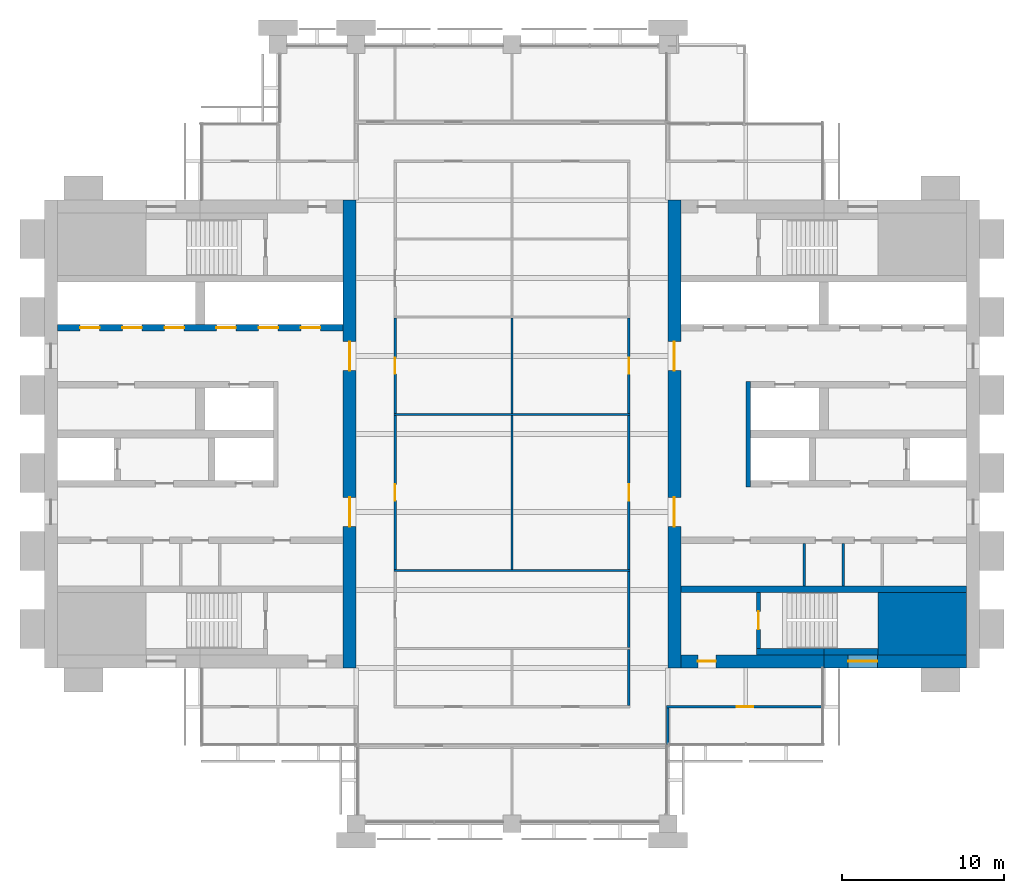
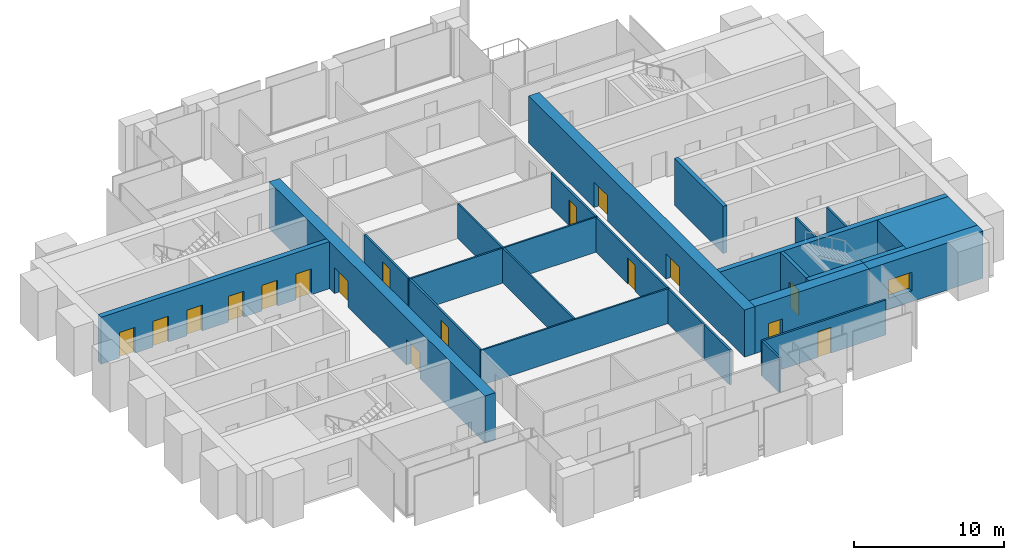
# One storey, part 9 of 13: 25 walls, 17 doors, 1 window, 18 openings.
"""IFC4 building model written with IfcOpenShell, lengths in metres."""

import ifcopenshell
import ifcopenshell.guid

model = None  # the IFC model being written
_history = None  # IfcOwnerHistory: only IFC2X3 demands one
_inside = {}  # id of a spatial element -> (the spatial element, [elements in it])
_under = {}  # id of a project, library or spatial element -> (it, [spatial elements below it])
_declared = {}  # id of a project -> (the project, [libraries it declares])
_typed = {}  # id of a type object -> (the type object, [elements of that type])
_made_of = {}  # id of a material, layer set ... -> (it, [elements and type objects made of it])


def new_model(schema):
    """Start an empty IFC model of exactly this schema.

    Asked for "IFC4X3", IfcOpenShell would pick the latest addendum, in which some entities
    have other attributes; the version numbers below select the first issue.
    IFC2X3 requires an IfcOwnerHistory on every rooted entity: one is made here for all.
    """
    global model, _history
    if schema == "IFC4X3":
        model = ifcopenshell.file(schema_version=(4, 3, 0, 0))
    else:
        model = ifcopenshell.file(schema=schema)
    _inside.clear()
    _under.clear()
    _declared.clear()
    _typed.clear()
    _made_of.clear()
    _history = None
    if model.schema == "IFC2X3":
        org = make("IfcOrganization", Name="unknown")
        user = make(
            "IfcPersonAndOrganization",
            ThePerson=make("IfcPerson", FamilyName="unknown"),
            TheOrganization=org,
        )
        app = make(
            "IfcApplication",
            ApplicationDeveloper=org,
            Version="unknown",
            ApplicationFullName="unknown",
            ApplicationIdentifier="unknown",
        )
        _history = make(
            "IfcOwnerHistory",
            OwningUser=user,
            OwningApplication=app,
            ChangeAction="ADDED",
            CreationDate=0,
        )
    return model


def make(cls, **values):
    """One entity of the class cls with the attributes given. An attribute that is None is left unset."""
    return model.create_entity(
        cls, **{name: value for name, value in values.items() if value is not None}
    )


def rooted(cls, **values):
    """An entity with a GlobalId (a new one), such as an element, a storey or a relation."""
    return make(cls, GlobalId=ifcopenshell.guid.new(), OwnerHistory=_history, **values)


def si_unit(unit_type, name, prefix=None):
    """IfcSIUnit, for example si_unit("LENGTHUNIT", "METRE", prefix="MILLI")."""
    return make("IfcSIUnit", UnitType=unit_type, Prefix=prefix, Name=name)


def assignment(units):
    """IfcUnitAssignment: the units of a project."""
    return None if units is None else make("IfcUnitAssignment", Units=units)


def point(xyz):
    """IfcCartesianPoint."""
    return None if xyz is None else make("IfcCartesianPoint", Coordinates=xyz)


def direction(xyz):
    """IfcDirection."""
    return None if xyz is None else make("IfcDirection", DirectionRatios=xyz)


def frame(location, z_axis=None, x_axis=None):
    """IfcAxis2Placement3D, a coordinate frame: its origin and axes. An axis left out is left unset."""
    return make(
        "IfcAxis2Placement3D",
        Location=point(location),
        Axis=direction(z_axis),
        RefDirection=direction(x_axis),
    )


def frame_2d(location, x_axis=None):
    """IfcAxis2Placement2D, a coordinate frame in the plane: its origin and x axis."""
    return make(
        "IfcAxis2Placement2D", Location=point(location), RefDirection=direction(x_axis)
    )


def origin():
    """The frame at (0, 0, 0) with its axes left unset."""
    return frame((0.0, 0.0, 0.0))


def place(relative_to, where):
    """IfcLocalPlacement: puts the frame where relative to a parent placement (None: the world)."""
    return make(
        "IfcLocalPlacement", PlacementRelTo=relative_to, RelativePlacement=where
    )


def context(
    kind, dimensions, precision=None, world=None, true_north=None, identifier=None
):
    """IfcGeometricRepresentationContext, for example the 3D "Model" context."""
    return make(
        "IfcGeometricRepresentationContext",
        ContextIdentifier=identifier,
        ContextType=kind,
        CoordinateSpaceDimension=dimensions,
        Precision=precision,
        WorldCoordinateSystem=world,
        TrueNorth=true_north,
    )


def subcontext(parent, identifier, kind, view, scale=None):
    """IfcGeometricRepresentationSubContext, for example "Body" below "Model"."""
    return make(
        "IfcGeometricRepresentationSubContext",
        ContextIdentifier=identifier,
        ContextType=kind,
        ParentContext=parent,
        TargetScale=scale,
        TargetView=view,
    )


def project(units=None, contexts=None):
    """IfcProject with its units and contexts."""
    return rooted(
        "IfcProject",
        Name="project",
        RepresentationContexts=contexts,
        UnitsInContext=assignment(units),
    )


def spatial(cls, under=None, at=None, **own):
    """A site, building, storey or space (cls), placed at a placement, below another one or the project."""
    s = rooted(cls, ObjectPlacement=at, **own)
    if under is not None:
        _under.setdefault(under.id(), (under, []))[1].append(s)
    return s


def profile(cls, at=None, kind="AREA", **sizes):
    """A parametric profile (cls). Its sizes go by their IFC names, for example OverallWidth=200.0."""
    return make(cls, ProfileType=kind, Position=at, **sizes)


def rectangle(**sizes):
    """IfcRectangleProfileDef."""
    return profile("IfcRectangleProfileDef", **sizes)


def extrude(swept, where, along, depth):
    """IfcExtrudedAreaSolid: the profile swept, set in the frame where, extruded along a direction by depth."""
    return make(
        "IfcExtrudedAreaSolid",
        SweptArea=swept,
        Position=where,
        ExtrudedDirection=direction(along),
        Depth=depth,
    )


def shape(context_of_items, identifier, shape_type, items):
    """IfcShapeRepresentation: the items that make up one representation, for example the "Body"."""
    return make(
        "IfcShapeRepresentation",
        ContextOfItems=context_of_items,
        RepresentationIdentifier=identifier,
        RepresentationType=shape_type,
        Items=items,
    )


def material(Name=None, Category=None):
    """IfcMaterial."""
    return make("IfcMaterial", Name=Name, Category=Category)


def layer(
    of_material, thickness, ventilated=None, Name=None, Category=None, Priority=None
):
    """IfcMaterialLayer: one layer of a wall or slab, of a material (None: an air gap)."""
    return make(
        "IfcMaterialLayer",
        Material=of_material,
        LayerThickness=thickness,
        IsVentilated=ventilated,
        Name=Name,
        Category=Category,
        Priority=Priority,
    )


def layer_set(layers, Name=None):
    """IfcMaterialLayerSet."""
    return make("IfcMaterialLayerSet", MaterialLayers=layers, LayerSetName=Name)


def made_of(thing, what):
    """Note that an element or type object is made of a material, layer set ...; save() writes the relation."""
    if what is not None:
        _made_of.setdefault(what.id(), (what, []))[1].append(thing)
    return thing


def type_object(cls, material=None, **own):
    """A type object (cls), such as IfcWallType, which elements share."""
    return made_of(rooted(cls, **own), material)


def element(
    cls,
    number,
    at=None,
    inside=None,
    cuts=None,
    type_object=None,
    material=None,
    context=None,
    identifier="Body",
    shape_type=None,
    held_by="IfcProductDefinitionShape",
    body=None,
    shapes=None,
    **own,
):
    """One element of the class cls, such as IfcWall. Its Tag is "e" and its number.

    at: its placement. inside: the storey or other place that contains it. cuts: it is an
    opening in that element (IfcRelVoidsElement). A single representation is given by context,
    identifier, shape_type and body (its items); several are given by shapes. held_by: the class
    of the entity that holds the representations. save() writes the other relations.
    """
    e = rooted(cls, Tag="e%d" % number, ObjectPlacement=at, **own)
    if body is not None:
        shapes = [shape(context, identifier, shape_type, body)]
    if shapes is not None:
        e.Representation = make(held_by, Representations=shapes)
    if inside is not None:
        _inside.setdefault(inside.id(), (inside, []))[1].append(e)
    if cuts is not None:
        rooted(
            "IfcRelVoidsElement", RelatingBuildingElement=cuts, RelatedOpeningElement=e
        )
    if type_object is not None:
        _typed.setdefault(type_object.id(), (type_object, []))[1].append(e)
    return made_of(e, material)


def fill(opening, filler):
    """IfcRelFillsElement: the door or window that sits in an opening."""
    return rooted(
        "IfcRelFillsElement",
        RelatingOpeningElement=opening,
        RelatedBuildingElement=filler,
    )


def aggregate(whole, parts):
    """IfcRelAggregates: a whole, such as a stair, and the parts it consists of."""
    return rooted("IfcRelAggregates", RelatingObject=whole, RelatedObjects=parts)


def save(model, path):
    """Write the relations noted so far, then the file.

    IfcRelAggregates (storeys below a building ...), IfcRelContainedInSpatialStructure (elements
    in a storey), IfcRelDefinesByType, IfcRelAssociatesMaterial and IfcRelDeclares: one each for
    every whole, place, type object, material and project.
    """
    for whole, parts in _under.values():
        aggregate(whole, parts)
    for where, things in _inside.values():
        rooted(
            "IfcRelContainedInSpatialStructure",
            RelatedElements=things,
            RelatingStructure=where,
        )
    for kind, things in _typed.values():
        rooted("IfcRelDefinesByType", RelatedObjects=things, RelatingType=kind)
    for what, things in _made_of.values():
        rooted("IfcRelAssociatesMaterial", RelatedObjects=things, RelatingMaterial=what)
    for by, libraries in _declared.values():
        rooted("IfcRelDeclares", RelatingContext=by, RelatedDefinitions=libraries)
    model.write(path)


model = new_model("IFC4")

# Units and contexts
model_context = context("Model", 3, precision=1e-05, world=origin(), true_north=direction((0.0, 1.0)))
body_context = subcontext(model_context, "Body", "Model", "MODEL_VIEW")
ifc_project = project(units=[si_unit("LENGTHUNIT", "METRE"), si_unit("AREAUNIT", "SQUARE_METRE"), si_unit("VOLUMEUNIT", "CUBIC_METRE"), si_unit("PLANEANGLEUNIT", "RADIAN"), si_unit("MASSUNIT", "GRAM", prefix="KILO")], contexts=[model_context])

# Site, building, storey
site_placement = place(None, origin())
site = spatial("IfcSite", under=ifc_project, at=site_placement, CompositionType="ELEMENT")
building_placement = place(site_placement, origin())
building = spatial("IfcBuilding", under=site, at=building_placement, Name="Baori Bourse Tower", CompositionType="ELEMENT")
storey_placement = place(building_placement, frame((0.0, 0.0, 205.199951171875)))
storey = spatial("IfcBuildingStorey", under=building, at=storey_placement, Name="L44", CompositionType="ELEMENT", Elevation=205.199951171875)

# Walls
ifc_material_1 = material(Name="Concrete f'c 50 MPa", Category="concrete")
wall_type_1 = type_object("IfcWallType", Name="Core corner block f'c 50", PredefinedType="SHEAR", material=ifc_material_1)
wall_1_placement = place(storey_placement, frame((51.35009765625, 12.324951171875, 0.0), z_axis=(0.0, 0.0, 1.0), x_axis=(1.0, 0.0, 0.0)))
element("IfcWall", 1, at=wall_1_placement, inside=storey, type_object=wall_type_1, Name="Core wall E05", PredefinedType="SHEAR", context=body_context, shape_type="SweptSolid", body=[
    extrude(rectangle(XDim=5.449951171875, YDim=3.85009765625, at=frame_2d((2.72509765625, 0.0))), origin(), (0.0, 0.0, 1.0), 3.840087890625),
])
ifc_material_2 = material(Name="Blockwork partition", Category="masonry")
ifc_layer_1 = layer(ifc_material_2, 0.14990234375)
ifc_layer_set_1 = layer_set([ifc_layer_1], Name="Core partition 150")
wall_type_2 = type_object("IfcWallType", Name="Core partition 150", PredefinedType="PARTITIONING", material=ifc_layer_set_1)
for number, where, z_axis, x_axis, name in (
    (2, (49.199951171875, 14.64990234375, 0.0), (0.0, 0.0, 1.0), (0.0, 1.0, 0.0), "Partition wall E11"),
    (3, (46.800048828125, 14.64990234375, 0.0), (0.0, 0.0, 1.0), (0.0, 1.0, 0.0), "Partition wall E12"),
):
    element("IfcWall", number, at=place(storey_placement, frame(where, z_axis=z_axis, x_axis=x_axis)), inside=storey, type_object=wall_type_2, Name=name, PredefinedType="PARTITIONING", context=body_context, shape_type="SweptSolid", body=[
        extrude(rectangle(XDim=2.60009765625, YDim=0.14990234375, at=frame_2d((1.300048828125, 0.0))), origin(), (0.0, 0.0, 1.0), 3.840087890625),
    ])

# Wall, openings, doors
ifc_material_3 = material(Name="Concrete f'c 50 MPa", Category="concrete")
ifc_layer_2 = layer(ifc_material_3, 0.800048828125)
ifc_layer_set_2 = layer_set([ifc_layer_2], Name="Core wall 800 f'c 50")
wall_type_3 = type_object("IfcWallType", Name="Core wall 800 f'c 50", PredefinedType="SHEAR", material=ifc_layer_set_2)
wall_2_placement = place(storey_placement, frame((18.800048828125, 38.39990234375, 0.0), z_axis=(0.0, 0.0, 1.0), x_axis=(0.0, -1.0, 0.0)))
wall_2 = element("IfcWall", 4, at=wall_2_placement, inside=storey, type_object=wall_type_3, Name="Core wall W04", PredefinedType="SHEAR", context=body_context, shape_type="SweptSolid", body=[
    extrude(rectangle(XDim=28.7998046875, YDim=0.800048828125, at=frame_2d((14.39990234375, 0.0))), origin(), (0.0, 0.0, 1.0), 3.840087890625),
])
opening_1_placement = place(wall_2_placement, frame((18.300048828125, 0.0, 0.0)))
opening_1 = element("IfcOpeningElement", 5, at=opening_1_placement, cuts=wall_2, Name="Opening L44-D107", PredefinedType="OPENING", context=body_context, shape_type="SweptSolid", body=[
    extrude(rectangle(XDim=1.800048828125, YDim=2.10009765625, at=frame_2d((0.89990234375, 1.050048828125))), frame((0.0, 0.409912109375, 0.0), z_axis=(0.0, -1.0, 0.0), x_axis=(1.0, 0.0, 0.0)), (0.0, 0.0, 1.0), 0.820068359375),
])
opening_2_placement = place(wall_2_placement, frame((8.699951171875, 0.0, 0.0)))
opening_2 = element("IfcOpeningElement", 6, at=opening_2_placement, cuts=wall_2, Name="Opening L44-D108", PredefinedType="OPENING", context=body_context, shape_type="SweptSolid", body=[
    extrude(rectangle(XDim=1.800048828125, YDim=2.10009765625, at=frame_2d((0.89990234375, 1.050048828125))), frame((0.0, 0.409912109375, 0.0), z_axis=(0.0, -1.0, 0.0), x_axis=(1.0, 0.0, 0.0)), (0.0, 0.0, 1.0), 0.820068359375),
])
ifc_material_4 = material(Name="Painted steel door", Category="steel")
door_type_1 = type_object("IfcDoorType", Name="Core lobby door 1800", OperationType="DOUBLE_DOOR_SINGLE_SWING", PredefinedType="DOOR", material=ifc_material_4)
door_1_placement = place(opening_1_placement, origin())
door_1 = element("IfcDoor", 7, at=door_1_placement, inside=storey, type_object=door_type_1, Name="Lobby door W L44", OperationType="DOUBLE_DOOR_SINGLE_SWING", OverallHeight=2.10009765625, OverallWidth=1.800048828125, PredefinedType="DOOR", context=body_context, shape_type="SweptSolid", body=[
    extrude(rectangle(XDim=1.800048828125, YDim=2.10009765625, at=frame_2d((0.89990234375, 1.050048828125))), frame((0.0, 0.02490234375, 0.0), z_axis=(0.0, -1.0, 0.0), x_axis=(1.0, 0.0, 0.0)), (0.0, 0.0, 1.0), 0.050048828125),
])
fill(opening_1, door_1)
door_2_placement = place(opening_2_placement, origin())
door_2 = element("IfcDoor", 8, at=door_2_placement, inside=storey, type_object=door_type_1, Name="Lobby door W L44", OperationType="DOUBLE_DOOR_SINGLE_SWING", OverallHeight=2.10009765625, OverallWidth=1.800048828125, PredefinedType="DOOR", context=body_context, shape_type="SweptSolid", body=[
    extrude(rectangle(XDim=1.800048828125, YDim=2.10009765625, at=frame_2d((0.89990234375, 1.050048828125))), frame((0.0, 0.02490234375, 0.0), z_axis=(0.0, -1.0, 0.0), x_axis=(1.0, 0.0, 0.0)), (0.0, 0.0, 1.0), 0.050048828125),
])
fill(opening_2, door_2)

# Wall, opening, window
wall_3_placement = place(storey_placement, frame((56.800048828125, 10.0, 0.0), z_axis=(0.0, 0.0, 1.0), x_axis=(-1.0, 0.0, 0.0)))
wall_3 = element("IfcWall", 9, at=wall_3_placement, inside=storey, type_object=wall_type_3, Name="Core wall E02", PredefinedType="SHEAR", context=body_context, shape_type="SweptSolid", body=[
    extrude(rectangle(XDim=8.800048828125, YDim=0.800048828125, at=frame_2d((4.39990234375, 0.0))), origin(), (0.0, 0.0, 1.0), 3.840087890625),
])
opening_3_placement = place(wall_3_placement, frame((5.5, 0.0, 0.89990234375)))
opening_3 = element("IfcOpeningElement", 10, at=opening_3_placement, cuts=wall_3, Name="Opening L44-KW203", PredefinedType="OPENING", context=body_context, shape_type="SweptSolid", body=[
    extrude(rectangle(XDim=1.800048828125, YDim=1.5, at=frame_2d((0.89990234375, 0.75))), frame((0.0, 0.409912109375, 0.0), z_axis=(0.0, -1.0, 0.0), x_axis=(1.0, 0.0, 0.0)), (0.0, 0.0, 1.0), 0.820068359375),
])
ifc_material_5 = material(Name="Pale anodised aluminium", Category="aluminium")
window_type = type_object("IfcWindowType", Name="Stair window 1800 x 1500", PartitioningType="SINGLE_PANEL", PredefinedType="WINDOW", material=ifc_material_5)
window_placement = place(opening_3_placement, origin())
window = element("IfcWindow", 11, at=window_placement, inside=storey, type_object=window_type, Name="Stair window E L44 3", OverallHeight=1.5, OverallWidth=1.800048828125, PartitioningType="SINGLE_PANEL", PredefinedType="WINDOW", context=body_context, shape_type="SweptSolid", body=[
    extrude(rectangle(XDim=1.800048828125, YDim=1.5, at=frame_2d((0.89990234375, 0.75))), frame((0.0, 0.030029296875, 0.0), z_axis=(0.0, -1.0, 0.0), x_axis=(1.0, 0.0, 0.0)), (0.0, 0.0, 1.0), 0.06005859375),
])
fill(opening_3, window)

# Wall, opening, door
wall_4_placement = place(storey_placement, frame((48.0, 10.0, 0.0), z_axis=(0.0, 0.0, 1.0), x_axis=(-1.0, 0.0, 0.0)))
wall_4 = element("IfcWall", 12, at=wall_4_placement, inside=storey, type_object=wall_type_3, Name="Core wall E03", PredefinedType="SHEAR", context=body_context, shape_type="SweptSolid", body=[
    extrude(rectangle(XDim=8.800048828125, YDim=0.800048828125, at=frame_2d((4.39990234375, 0.0))), origin(), (0.0, 0.0, 1.0), 3.840087890625),
])
opening_4_placement = place(wall_4_placement, frame((6.64990234375, 0.0, 0.0)))
opening_4 = element("IfcOpeningElement", 13, at=opening_4_placement, cuts=wall_4, Name="Opening L44-D202", PredefinedType="OPENING", context=body_context, shape_type="SweptSolid", body=[
    extrude(rectangle(XDim=1.10009765625, YDim=2.10009765625, at=frame_2d((0.550048828125, 1.050048828125))), frame((0.0, 0.409912109375, 0.0), z_axis=(0.0, -1.0, 0.0), x_axis=(1.0, 0.0, 0.0)), (0.0, 0.0, 1.0), 0.820068359375),
])
ifc_material_6 = material(Name="Painted steel door", Category="steel")
door_type_2 = type_object("IfcDoorType", Name="Stair door 1100", OperationType="SINGLE_SWING_LEFT", PredefinedType="DOOR", material=ifc_material_6)
door_3_placement = place(opening_4_placement, origin())
door_3 = element("IfcDoor", 14, at=door_3_placement, inside=storey, type_object=door_type_2, Name="Stair vestibule door A E L44", OperationType="SINGLE_SWING_LEFT", OverallHeight=2.10009765625, OverallWidth=1.10009765625, PredefinedType="DOOR", context=body_context, shape_type="SweptSolid", body=[
    extrude(rectangle(XDim=1.10009765625, YDim=2.10009765625, at=frame_2d((0.550048828125, 1.050048828125))), frame((0.0, 0.02490234375, 0.0), z_axis=(0.0, -1.0, 0.0), x_axis=(1.0, 0.0, 0.0)), (0.0, 0.0, 1.0), 0.050048828125),
])
fill(opening_4, door_3)

# Wall, openings, doors
wall_5_placement = place(storey_placement, frame((38.800048828125, 9.60009765625, 0.0), z_axis=(0.0, 0.0, 1.0), x_axis=(0.0, 1.0, 0.0)))
wall_5 = element("IfcWall", 15, at=wall_5_placement, inside=storey, type_object=wall_type_3, Name="Core wall E04", PredefinedType="SHEAR", context=body_context, shape_type="SweptSolid", body=[
    extrude(rectangle(XDim=28.7998046875, YDim=0.800048828125, at=frame_2d((14.39990234375, 0.0))), origin(), (0.0, 0.0, 1.0), 3.840087890625),
])
opening_5_placement = place(wall_5_placement, frame((8.699951171875, 0.0, 0.0)))
opening_5 = element("IfcOpeningElement", 16, at=opening_5_placement, cuts=wall_5, Name="Opening L44-D207", PredefinedType="OPENING", context=body_context, shape_type="SweptSolid", body=[
    extrude(rectangle(XDim=1.800048828125, YDim=2.10009765625, at=frame_2d((0.89990234375, 1.050048828125))), frame((0.0, 0.409912109375, 0.0), z_axis=(0.0, -1.0, 0.0), x_axis=(1.0, 0.0, 0.0)), (0.0, 0.0, 1.0), 0.820068359375),
])
opening_6_placement = place(wall_5_placement, frame((18.300048828125, 0.0, 0.0)))
opening_6 = element("IfcOpeningElement", 17, at=opening_6_placement, cuts=wall_5, Name="Opening L44-D208", PredefinedType="OPENING", context=body_context, shape_type="SweptSolid", body=[
    extrude(rectangle(XDim=1.800048828125, YDim=2.10009765625, at=frame_2d((0.89990234375, 1.050048828125))), frame((0.0, 0.409912109375, 0.0), z_axis=(0.0, -1.0, 0.0), x_axis=(1.0, 0.0, 0.0)), (0.0, 0.0, 1.0), 0.820068359375),
])
door_4_placement = place(opening_5_placement, origin())
door_4 = element("IfcDoor", 18, at=door_4_placement, inside=storey, type_object=door_type_1, Name="Lobby door E L44", OperationType="DOUBLE_DOOR_SINGLE_SWING", OverallHeight=2.10009765625, OverallWidth=1.800048828125, PredefinedType="DOOR", context=body_context, shape_type="SweptSolid", body=[
    extrude(rectangle(XDim=1.800048828125, YDim=2.10009765625, at=frame_2d((0.89990234375, 1.050048828125))), frame((0.0, 0.02490234375, 0.0), z_axis=(0.0, -1.0, 0.0), x_axis=(1.0, 0.0, 0.0)), (0.0, 0.0, 1.0), 0.050048828125),
])
fill(opening_5, door_4)
door_5_placement = place(opening_6_placement, origin())
door_5 = element("IfcDoor", 19, at=door_5_placement, inside=storey, type_object=door_type_1, Name="Lobby door E L44", OperationType="DOUBLE_DOOR_SINGLE_SWING", OverallHeight=2.10009765625, OverallWidth=1.800048828125, PredefinedType="DOOR", context=body_context, shape_type="SweptSolid", body=[
    extrude(rectangle(XDim=1.800048828125, YDim=2.10009765625, at=frame_2d((0.89990234375, 1.050048828125))), frame((0.0, 0.02490234375, 0.0), z_axis=(0.0, -1.0, 0.0), x_axis=(1.0, 0.0, 0.0)), (0.0, 0.0, 1.0), 0.050048828125),
])
fill(opening_6, door_5)

# Wall, opening, door
ifc_material_7 = material(Name="Gypsum board partition")
ifc_layer_3 = layer(ifc_material_7, 0.14990234375)
ifc_layer_set_3 = layer_set([ifc_layer_3], Name="Corridor partition 150")
wall_type_4 = type_object("IfcWallType", Name="Corridor partition 150", PredefinedType="PARTITIONING", material=ifc_layer_set_3)
wall_6_placement = place(storey_placement, frame((38.324951171875, 7.199951171875, 0.0), z_axis=(0.0, 0.0, 1.0), x_axis=(1.0, 0.0, 0.0)))
wall_6 = element("IfcWall", 20, at=wall_6_placement, inside=storey, type_object=wall_type_4, Name="Partition", PredefinedType="PARTITIONING", context=body_context, shape_type="SweptSolid", body=[
    extrude(rectangle(XDim=9.574951171875, YDim=0.14990234375, at=frame_2d((4.78759765625, 0.0))), origin(), (0.0, 0.0, 1.0), 2.849365234375),
])
opening_7_placement = place(wall_6_placement, frame((4.324951171875, 0.0, 0.0)))
opening_7 = element("IfcOpeningElement", 21, at=opening_7_placement, cuts=wall_6, Name="Opening L44-D07", PredefinedType="OPENING", context=body_context, shape_type="SweptSolid", body=[
    extrude(rectangle(XDim=1.0, YDim=2.10009765625, at=frame_2d((0.5, 1.050048828125))), frame((0.0, 0.0849609375, 0.0), z_axis=(0.0, -1.0, 0.0), x_axis=(1.0, 0.0, 0.0)), (0.0, 0.0, 1.0), 0.169921875),
])
ifc_material_8 = material(Name="Timber door leaf", Category="wood")
door_type_3 = type_object("IfcDoorType", Name="Door 1000 x 2100", OperationType="SINGLE_SWING_LEFT", PredefinedType="DOOR", material=ifc_material_8)
door_6_placement = place(opening_7_placement, origin())
door_6 = element("IfcDoor", 22, at=door_6_placement, inside=storey, type_object=door_type_3, Name="Door", OperationType="SINGLE_SWING_RIGHT", OverallHeight=2.10009765625, OverallWidth=1.0, PredefinedType="DOOR", context=body_context, shape_type="SweptSolid", body=[
    extrude(rectangle(XDim=1.0, YDim=2.10009765625, at=frame_2d((0.5, 1.050048828125))), frame((0.0, 0.02490234375, 0.0), z_axis=(0.0, -1.0, 0.0), x_axis=(1.0, 0.0, 0.0)), (0.0, 0.0, 1.0), 0.050048828125),
])
fill(opening_7, door_6)

wall_7_placement = place(storey_placement, frame((21.60009765625, 15.66259765625, 0.0), z_axis=(0.0, 0.0, 1.0), x_axis=(0.0, 1.0, 0.0)))
wall_7 = element("IfcWall", 23, at=wall_7_placement, inside=storey, type_object=wall_type_4, Name="Partition", PredefinedType="PARTITIONING", context=body_context, shape_type="SweptSolid", body=[
    extrude(rectangle(XDim=9.474853515625, YDim=0.14990234375, at=frame_2d((4.7373046875, 0.0))), origin(), (0.0, 0.0, 1.0), 2.849365234375),
])
opening_8_placement = place(wall_7_placement, frame((4.237548828125, 0.0, 0.0)))
opening_8 = element("IfcOpeningElement", 24, at=opening_8_placement, cuts=wall_7, Name="Opening L44-D17", PredefinedType="OPENING", context=body_context, shape_type="SweptSolid", body=[
    extrude(rectangle(XDim=1.0, YDim=2.10009765625, at=frame_2d((0.5, 1.050048828125))), frame((0.0, 0.0849609375, 0.0), z_axis=(0.0, -1.0, 0.0), x_axis=(1.0, 0.0, 0.0)), (0.0, 0.0, 1.0), 0.169921875),
])
door_7_placement = place(opening_8_placement, origin())
door_7 = element("IfcDoor", 25, at=door_7_placement, inside=storey, type_object=door_type_3, Name="Door", OperationType="SINGLE_SWING_LEFT", OverallHeight=2.10009765625, OverallWidth=1.0, PredefinedType="DOOR", context=body_context, shape_type="SweptSolid", body=[
    extrude(rectangle(XDim=1.0, YDim=2.10009765625, at=frame_2d((0.5, 1.050048828125))), frame((0.0, 0.02490234375, 0.0), z_axis=(0.0, -1.0, 0.0), x_axis=(1.0, 0.0, 0.0)), (0.0, 0.0, 1.0), 0.050048828125),
])
fill(opening_8, door_7)

wall_8_placement = place(storey_placement, frame((21.60009765625, 25.262451171875, 0.0), z_axis=(0.0, 0.0, 1.0), x_axis=(0.0, 1.0, 0.0)))
wall_8 = element("IfcWall", 26, at=wall_8_placement, inside=storey, type_object=wall_type_4, Name="Partition", PredefinedType="PARTITIONING", context=body_context, shape_type="SweptSolid", body=[
    extrude(rectangle(XDim=5.875, YDim=0.14990234375, at=frame_2d((2.9375, 0.0))), origin(), (0.0, 0.0, 1.0), 2.849365234375),
])
opening_9_placement = place(wall_8_placement, frame((2.4375, 0.0, 0.0)))
opening_9 = element("IfcOpeningElement", 27, at=opening_9_placement, cuts=wall_8, Name="Opening L44-D18", PredefinedType="OPENING", context=body_context, shape_type="SweptSolid", body=[
    extrude(rectangle(XDim=1.0, YDim=2.10009765625, at=frame_2d((0.5, 1.050048828125))), frame((0.0, 0.0849609375, 0.0), z_axis=(0.0, -1.0, 0.0), x_axis=(1.0, 0.0, 0.0)), (0.0, 0.0, 1.0), 0.169921875),
])
door_8_placement = place(opening_9_placement, origin())
door_8 = element("IfcDoor", 28, at=door_8_placement, inside=storey, type_object=door_type_3, Name="Door", OperationType="SINGLE_SWING_LEFT", OverallHeight=2.10009765625, OverallWidth=1.0, PredefinedType="DOOR", context=body_context, shape_type="SweptSolid", body=[
    extrude(rectangle(XDim=1.0, YDim=2.10009765625, at=frame_2d((0.5, 1.050048828125))), frame((0.0, 0.02490234375, 0.0), z_axis=(0.0, -1.0, 0.0), x_axis=(1.0, 0.0, 0.0)), (0.0, 0.0, 1.0), 0.050048828125),
])
fill(opening_9, door_8)

# Walls
wall_9_placement = place(storey_placement, frame((36.0, 7.27490234375, 0.0), z_axis=(0.0, 0.0, 1.0), x_axis=(0.0, 1.0, 0.0)))
element("IfcWall", 29, at=wall_9_placement, inside=storey, type_object=wall_type_4, Name="Partition", PredefinedType="PARTITIONING", context=body_context, shape_type="SweptSolid", body=[
    extrude(rectangle(XDim=3.462646484375, YDim=0.14990234375, at=frame_2d((1.7314453125, 0.0))), origin(), (0.0, 0.0, 1.0), 2.849365234375),
])
wall_10_placement = place(storey_placement, frame((36.0, 10.862548828125, 0.0), z_axis=(0.0, 0.0, 1.0), x_axis=(0.0, 1.0, 0.0)))
element("IfcWall", 30, at=wall_10_placement, inside=storey, type_object=wall_type_4, Name="Partition", PredefinedType="PARTITIONING", context=body_context, shape_type="SweptSolid", body=[
    extrude(rectangle(XDim=4.675048828125, YDim=0.14990234375, at=frame_2d((2.33740234375, 0.0))), origin(), (0.0, 0.0, 1.0), 2.849365234375),
])

# Wall, opening, door
wall_11_placement = place(storey_placement, frame((36.0, 15.66259765625, 0.0), z_axis=(0.0, 0.0, 1.0), x_axis=(0.0, 1.0, 0.0)))
wall_11 = element("IfcWall", 31, at=wall_11_placement, inside=storey, type_object=wall_type_4, Name="Partition", PredefinedType="PARTITIONING", context=body_context, shape_type="SweptSolid", body=[
    extrude(rectangle(XDim=9.474853515625, YDim=0.14990234375, at=frame_2d((4.7373046875, 0.0))), origin(), (0.0, 0.0, 1.0), 2.849365234375),
])
opening_10_placement = place(wall_11_placement, frame((4.237548828125, 0.0, 0.0)))
opening_10 = element("IfcOpeningElement", 32, at=opening_10_placement, cuts=wall_11, Name="Opening L44-D20", PredefinedType="OPENING", context=body_context, shape_type="SweptSolid", body=[
    extrude(rectangle(XDim=1.0, YDim=2.10009765625, at=frame_2d((0.5, 1.050048828125))), frame((0.0, 0.0849609375, 0.0), z_axis=(0.0, -1.0, 0.0), x_axis=(1.0, 0.0, 0.0)), (0.0, 0.0, 1.0), 0.169921875),
])
door_9_placement = place(opening_10_placement, origin())
door_9 = element("IfcDoor", 33, at=door_9_placement, inside=storey, type_object=door_type_3, Name="Door", OperationType="SINGLE_SWING_RIGHT", OverallHeight=2.10009765625, OverallWidth=1.0, PredefinedType="DOOR", context=body_context, shape_type="SweptSolid", body=[
    extrude(rectangle(XDim=1.0, YDim=2.10009765625, at=frame_2d((0.5, 1.050048828125))), frame((0.0, 0.02490234375, 0.0), z_axis=(0.0, -1.0, 0.0), x_axis=(1.0, 0.0, 0.0)), (0.0, 0.0, 1.0), 0.050048828125),
])
fill(opening_10, door_9)

wall_12_placement = place(storey_placement, frame((36.0, 25.262451171875, 0.0), z_axis=(0.0, 0.0, 1.0), x_axis=(0.0, 1.0, 0.0)))
wall_12 = element("IfcWall", 34, at=wall_12_placement, inside=storey, type_object=wall_type_4, Name="Partition", PredefinedType="PARTITIONING", context=body_context, shape_type="SweptSolid", body=[
    extrude(rectangle(XDim=5.875, YDim=0.14990234375, at=frame_2d((2.9375, 0.0))), origin(), (0.0, 0.0, 1.0), 2.849365234375),
])
opening_11_placement = place(wall_12_placement, frame((2.4375, 0.0, 0.0)))
opening_11 = element("IfcOpeningElement", 35, at=opening_11_placement, cuts=wall_12, Name="Opening L44-D21", PredefinedType="OPENING", context=body_context, shape_type="SweptSolid", body=[
    extrude(rectangle(XDim=1.0, YDim=2.10009765625, at=frame_2d((0.5, 1.050048828125))), frame((0.0, 0.0849609375, 0.0), z_axis=(0.0, -1.0, 0.0), x_axis=(1.0, 0.0, 0.0)), (0.0, 0.0, 1.0), 0.169921875),
])
door_10_placement = place(opening_11_placement, origin())
door_10 = element("IfcDoor", 36, at=door_10_placement, inside=storey, type_object=door_type_3, Name="Door", OperationType="SINGLE_SWING_RIGHT", OverallHeight=2.10009765625, OverallWidth=1.0, PredefinedType="DOOR", context=body_context, shape_type="SweptSolid", body=[
    extrude(rectangle(XDim=1.0, YDim=2.10009765625, at=frame_2d((0.5, 1.050048828125))), frame((0.0, 0.02490234375, 0.0), z_axis=(0.0, -1.0, 0.0), x_axis=(1.0, 0.0, 0.0)), (0.0, 0.0, 1.0), 0.050048828125),
])
fill(opening_11, door_10)

# Walls
wall_13_placement = place(storey_placement, frame((38.39990234375, 4.875, 0.0), z_axis=(0.0, 0.0, 1.0), x_axis=(0.0, 1.0, 0.0)))
element("IfcWall", 37, at=wall_13_placement, inside=storey, type_object=wall_type_4, Name="Partition", PredefinedType="PARTITIONING", context=body_context, shape_type="SweptSolid", body=[
    extrude(rectangle(XDim=2.25, YDim=0.14990234375, at=frame_2d((1.125, 0.0))), origin(), (0.0, 0.0, 1.0), 2.849365234375),
])
ifc_material_9 = material(Name="Gypsum board partition")
ifc_layer_4 = layer(ifc_material_9, 0.125)
ifc_layer_set_4 = layer_set([ifc_layer_4], Name="Partition 125")
wall_type_5 = type_object("IfcWallType", Name="Partition 125", PredefinedType="PARTITIONING", material=ifc_layer_set_4)
for number, where, z_axis, x_axis, name in (
    (38, (21.52490234375, 15.60009765625, 0.0), (0.0, 0.0, 1.0), (1.0, 0.0, 0.0), "Partition"),
    (39, (21.52490234375, 25.199951171875, 0.0), (0.0, 0.0, 1.0), (1.0, 0.0, 0.0), "Partition"),
):
    element("IfcWall", number, at=place(storey_placement, frame(where, z_axis=z_axis, x_axis=x_axis)), inside=storey, type_object=wall_type_5, Name=name, PredefinedType="PARTITIONING", context=body_context, shape_type="SweptSolid", body=[
        extrude(rectangle(XDim=14.550048828125, YDim=0.125, at=frame_2d((7.27490234375, 0.0))), origin(), (0.0, 0.0, 1.0), 2.849365234375),
    ])
wall_14_placement = place(storey_placement, frame((28.800048828125, 15.66259765625, 0.0), z_axis=(0.0, 0.0, 1.0), x_axis=(0.0, 1.0, 0.0)))
element("IfcWall", 40, at=wall_14_placement, inside=storey, type_object=wall_type_5, Name="Partition", PredefinedType="PARTITIONING", context=body_context, shape_type="SweptSolid", body=[
    extrude(rectangle(XDim=9.474853515625, YDim=0.125, at=frame_2d((4.7373046875, 0.0))), origin(), (0.0, 0.0, 1.0), 2.849365234375),
])
wall_15_placement = place(storey_placement, frame((28.800048828125, 25.262451171875, 0.0), z_axis=(0.0, 0.0, 1.0), x_axis=(0.0, 1.0, 0.0)))
element("IfcWall", 41, at=wall_15_placement, inside=storey, type_object=wall_type_5, Name="Partition", PredefinedType="PARTITIONING", context=body_context, shape_type="SweptSolid", body=[
    extrude(rectangle(XDim=5.875, YDim=0.125, at=frame_2d((2.9375, 0.0))), origin(), (0.0, 0.0, 1.0), 2.849365234375),
])

# Wall, opening, door
ifc_material_10 = material(Name="Concrete f'c 50 MPa", Category="concrete")
ifc_layer_5 = layer(ifc_material_10, 0.25)
ifc_layer_set_5 = layer_set([ifc_layer_5], Name="Shaft wall 250 f'c 50")
wall_type_6 = type_object("IfcWallType", Name="Shaft wall 250 f'c 50", PredefinedType="SHEAR", material=ifc_layer_set_5)
wall_16_placement = place(storey_placement, frame((43.97509765625, 10.800048828125, 0.0), z_axis=(0.0, 0.0, 1.0), x_axis=(0.0, 1.0, 0.0)))
wall_16 = element("IfcWall", 42, at=wall_16_placement, inside=storey, type_object=wall_type_6, Name="Core wall E08", PredefinedType="SHEAR", context=body_context, shape_type="SweptSolid", body=[
    extrude(rectangle(XDim=3.449951171875, YDim=0.25, at=frame_2d((1.72509765625, 0.0))), origin(), (0.0, 0.0, 1.0), 3.840087890625),
])
opening_12_placement = place(wall_16_placement, frame((1.175048828125, 0.0, 0.0)))
opening_12 = element("IfcOpeningElement", 43, at=opening_12_placement, cuts=wall_16, Name="Opening L44-D201", PredefinedType="OPENING", context=body_context, shape_type="SweptSolid", body=[
    extrude(rectangle(XDim=1.10009765625, YDim=2.10009765625, at=frame_2d((0.550048828125, 1.050048828125))), frame((0.0, 0.135009765625, 0.0), z_axis=(0.0, -1.0, 0.0), x_axis=(1.0, 0.0, 0.0)), (0.0, 0.0, 1.0), 0.27001953125),
])
door_11_placement = place(opening_12_placement, origin())
door_11 = element("IfcDoor", 44, at=door_11_placement, inside=storey, type_object=door_type_2, Name="Stair door A E L44", OperationType="SINGLE_SWING_LEFT", OverallHeight=2.10009765625, OverallWidth=1.10009765625, PredefinedType="DOOR", context=body_context, shape_type="SweptSolid", body=[
    extrude(rectangle(XDim=1.10009765625, YDim=2.10009765625, at=frame_2d((0.550048828125, 1.050048828125))), frame((0.0, 0.02490234375, 0.0), z_axis=(0.0, -1.0, 0.0), x_axis=(1.0, 0.0, 0.0)), (0.0, 0.0, 1.0), 0.050048828125),
])
fill(opening_12, door_11)

# Wall
ifc_material_11 = material(Name="Concrete f'c 50 MPa", Category="concrete")
ifc_layer_6 = layer(ifc_material_11, 0.300048828125)
ifc_layer_set_6 = layer_set([ifc_layer_6], Name="Shaft wall 300 f'c 50")
wall_type_7 = type_object("IfcWallType", Name="Shaft wall 300 f'c 50", PredefinedType="SHEAR", material=ifc_layer_set_6)
wall_17_placement = place(storey_placement, frame((43.35009765625, 20.75, 0.0), z_axis=(0.0, 0.0, 1.0), x_axis=(0.0, 1.0, 0.0)))
element("IfcWall", 45, at=wall_17_placement, inside=storey, type_object=wall_type_7, Name="Core wall E15", PredefinedType="SHEAR", context=body_context, shape_type="SweptSolid", body=[
    extrude(rectangle(XDim=6.5, YDim=0.300048828125, at=frame_2d((3.25, 0.0))), origin(), (0.0, 0.0, 1.0), 3.840087890625),
])

# Wall, openings, doors
ifc_material_12 = material(Name="Concrete f'c 50 MPa", Category="concrete")
ifc_layer_7 = layer(ifc_material_12, 0.39990234375)
ifc_layer_set_7 = layer_set([ifc_layer_7], Name="Shaft wall 400 f'c 50")
wall_type_8 = type_object("IfcWallType", Name="Shaft wall 400 f'c 50", PredefinedType="SHEAR", material=ifc_layer_set_7)
wall_18_placement = place(storey_placement, frame((0.800048828125, 30.550048828125, 0.0), z_axis=(0.0, 0.0, 1.0), x_axis=(1.0, 0.0, 0.0)))
wall_18 = element("IfcWall", 46, at=wall_18_placement, inside=storey, type_object=wall_type_8, Name="Core wall W21", PredefinedType="SHEAR", context=body_context, shape_type="SweptSolid", body=[
    extrude(rectangle(XDim=17.599853515625, YDim=0.39990234375, at=frame_2d((8.7998046875, 0.0))), origin(), (0.0, 0.0, 1.0), 3.840087890625),
])
opening_13_placement = place(wall_18_placement, frame((1.39990234375, 0.0, 0.0)))
opening_13 = element("IfcOpeningElement", 47, at=opening_13_placement, cuts=wall_18, Name="Opening L44-D114", PredefinedType="OPENING", context=body_context, shape_type="SweptSolid", body=[
    extrude(rectangle(XDim=1.199951171875, YDim=2.10009765625, at=frame_2d((0.60009765625, 1.050048828125))), frame((0.0, 0.2099609375, 0.0), z_axis=(0.0, -1.0, 0.0), x_axis=(1.0, 0.0, 0.0)), (0.0, 0.0, 1.0), 0.419921875),
])
opening_14_placement = place(wall_18_placement, frame((4.0, 0.0, 0.0)))
opening_14 = element("IfcOpeningElement", 48, at=opening_14_placement, cuts=wall_18, Name="Opening L44-D115", PredefinedType="OPENING", context=body_context, shape_type="SweptSolid", body=[
    extrude(rectangle(XDim=1.199951171875, YDim=2.10009765625, at=frame_2d((0.60009765625, 1.050048828125))), frame((0.0, 0.2099609375, 0.0), z_axis=(0.0, -1.0, 0.0), x_axis=(1.0, 0.0, 0.0)), (0.0, 0.0, 1.0), 0.419921875),
])
opening_15_placement = place(wall_18_placement, frame((6.60009765625, 0.0, 0.0)))
opening_15 = element("IfcOpeningElement", 49, at=opening_15_placement, cuts=wall_18, Name="Opening L44-D116", PredefinedType="OPENING", context=body_context, shape_type="SweptSolid", body=[
    extrude(rectangle(XDim=1.199951171875, YDim=2.10009765625, at=frame_2d((0.60009765625, 1.050048828125))), frame((0.0, 0.2099609375, 0.0), z_axis=(0.0, -1.0, 0.0), x_axis=(1.0, 0.0, 0.0)), (0.0, 0.0, 1.0), 0.419921875),
])
opening_16_placement = place(wall_18_placement, frame((9.800048828125, 0.0, 0.0)))
opening_16 = element("IfcOpeningElement", 50, at=opening_16_placement, cuts=wall_18, Name="Opening L44-D117", PredefinedType="OPENING", context=body_context, shape_type="SweptSolid", body=[
    extrude(rectangle(XDim=1.199951171875, YDim=2.10009765625, at=frame_2d((0.60009765625, 1.050048828125))), frame((0.0, 0.2099609375, 0.0), z_axis=(0.0, -1.0, 0.0), x_axis=(1.0, 0.0, 0.0)), (0.0, 0.0, 1.0), 0.419921875),
])
opening_17_placement = place(wall_18_placement, frame((12.39990234375, 0.0, 0.0)))
opening_17 = element("IfcOpeningElement", 51, at=opening_17_placement, cuts=wall_18, Name="Opening L44-D118", PredefinedType="OPENING", context=body_context, shape_type="SweptSolid", body=[
    extrude(rectangle(XDim=1.199951171875, YDim=2.10009765625, at=frame_2d((0.60009765625, 1.050048828125))), frame((0.0, 0.2099609375, 0.0), z_axis=(0.0, -1.0, 0.0), x_axis=(1.0, 0.0, 0.0)), (0.0, 0.0, 1.0), 0.419921875),
])
opening_18_placement = place(wall_18_placement, frame((15.0, 0.0, 0.0)))
opening_18 = element("IfcOpeningElement", 52, at=opening_18_placement, cuts=wall_18, Name="Opening L44-D119", PredefinedType="OPENING", context=body_context, shape_type="SweptSolid", body=[
    extrude(rectangle(XDim=1.199951171875, YDim=2.10009765625, at=frame_2d((0.60009765625, 1.050048828125))), frame((0.0, 0.2099609375, 0.0), z_axis=(0.0, -1.0, 0.0), x_axis=(1.0, 0.0, 0.0)), (0.0, 0.0, 1.0), 0.419921875),
])
ifc_material_13 = material(Name="Stainless steel door", Category="steel")
door_type_4 = type_object("IfcDoorType", Name="Lift landing door", OperationType="DOUBLE_DOOR_SLIDING", PredefinedType="DOOR", material=ifc_material_13)
door_12_placement = place(opening_13_placement, origin())
door_12 = element("IfcDoor", 53, at=door_12_placement, inside=storey, type_object=door_type_4, Name="Lift landing door HR1 W L44", OperationType="DOUBLE_DOOR_SLIDING", OverallHeight=2.10009765625, OverallWidth=1.199951171875, PredefinedType="DOOR", context=body_context, shape_type="SweptSolid", body=[
    extrude(rectangle(XDim=1.199951171875, YDim=2.10009765625, at=frame_2d((0.60009765625, 1.050048828125))), frame((0.0, 0.02490234375, 0.0), z_axis=(0.0, -1.0, 0.0), x_axis=(1.0, 0.0, 0.0)), (0.0, 0.0, 1.0), 0.050048828125),
])
fill(opening_13, door_12)
door_13_placement = place(opening_14_placement, origin())
door_13 = element("IfcDoor", 54, at=door_13_placement, inside=storey, type_object=door_type_4, Name="Lift landing door HR2 W L44", OperationType="DOUBLE_DOOR_SLIDING", OverallHeight=2.10009765625, OverallWidth=1.199951171875, PredefinedType="DOOR", context=body_context, shape_type="SweptSolid", body=[
    extrude(rectangle(XDim=1.199951171875, YDim=2.10009765625, at=frame_2d((0.60009765625, 1.050048828125))), frame((0.0, 0.02490234375, 0.0), z_axis=(0.0, -1.0, 0.0), x_axis=(1.0, 0.0, 0.0)), (0.0, 0.0, 1.0), 0.050048828125),
])
fill(opening_14, door_13)
door_14_placement = place(opening_15_placement, origin())
door_14 = element("IfcDoor", 55, at=door_14_placement, inside=storey, type_object=door_type_4, Name="Lift landing door HR3 W L44", OperationType="DOUBLE_DOOR_SLIDING", OverallHeight=2.10009765625, OverallWidth=1.199951171875, PredefinedType="DOOR", context=body_context, shape_type="SweptSolid", body=[
    extrude(rectangle(XDim=1.199951171875, YDim=2.10009765625, at=frame_2d((0.60009765625, 1.050048828125))), frame((0.0, 0.02490234375, 0.0), z_axis=(0.0, -1.0, 0.0), x_axis=(1.0, 0.0, 0.0)), (0.0, 0.0, 1.0), 0.050048828125),
])
fill(opening_15, door_14)
door_15_placement = place(opening_16_placement, origin())
door_15 = element("IfcDoor", 56, at=door_15_placement, inside=storey, type_object=door_type_4, Name="Lift landing door HR4 W L44", OperationType="DOUBLE_DOOR_SLIDING", OverallHeight=2.10009765625, OverallWidth=1.199951171875, PredefinedType="DOOR", context=body_context, shape_type="SweptSolid", body=[
    extrude(rectangle(XDim=1.199951171875, YDim=2.10009765625, at=frame_2d((0.60009765625, 1.050048828125))), frame((0.0, 0.02490234375, 0.0), z_axis=(0.0, -1.0, 0.0), x_axis=(1.0, 0.0, 0.0)), (0.0, 0.0, 1.0), 0.050048828125),
])
fill(opening_16, door_15)
door_16_placement = place(opening_17_placement, origin())
door_16 = element("IfcDoor", 57, at=door_16_placement, inside=storey, type_object=door_type_4, Name="Lift landing door HR5 W L44", OperationType="DOUBLE_DOOR_SLIDING", OverallHeight=2.10009765625, OverallWidth=1.199951171875, PredefinedType="DOOR", context=body_context, shape_type="SweptSolid", body=[
    extrude(rectangle(XDim=1.199951171875, YDim=2.10009765625, at=frame_2d((0.60009765625, 1.050048828125))), frame((0.0, 0.02490234375, 0.0), z_axis=(0.0, -1.0, 0.0), x_axis=(1.0, 0.0, 0.0)), (0.0, 0.0, 1.0), 0.050048828125),
])
fill(opening_17, door_16)
door_17_placement = place(opening_18_placement, origin())
door_17 = element("IfcDoor", 58, at=door_17_placement, inside=storey, type_object=door_type_4, Name="Lift landing door HR6 W L44", OperationType="DOUBLE_DOOR_SLIDING", OverallHeight=2.10009765625, OverallWidth=1.199951171875, PredefinedType="DOOR", context=body_context, shape_type="SweptSolid", body=[
    extrude(rectangle(XDim=1.199951171875, YDim=2.10009765625, at=frame_2d((0.60009765625, 1.050048828125))), frame((0.0, 0.02490234375, 0.0), z_axis=(0.0, -1.0, 0.0), x_axis=(1.0, 0.0, 0.0)), (0.0, 0.0, 1.0), 0.050048828125),
])
fill(opening_18, door_17)

# Walls
wall_19_placement = place(storey_placement, frame((48.0, 10.60009765625, 0.0), z_axis=(0.0, 0.0, 1.0), x_axis=(1.0, 0.0, 0.0)))
element("IfcWall", 59, at=wall_19_placement, inside=storey, type_object=wall_type_8, Name="Core wall E06", PredefinedType="SHEAR", context=body_context, shape_type="SweptSolid", body=[
    extrude(rectangle(XDim=3.35009765625, YDim=0.39990234375, at=frame_2d((1.675048828125, 0.0))), origin(), (0.0, 0.0, 1.0), 3.840087890625),
])
wall_20_placement = place(storey_placement, frame((43.85009765625, 10.60009765625, 0.0), z_axis=(0.0, 0.0, 1.0), x_axis=(1.0, 0.0, 0.0)))
element("IfcWall", 60, at=wall_20_placement, inside=storey, type_object=wall_type_8, Name="Core wall E07", PredefinedType="SHEAR", context=body_context, shape_type="SweptSolid", body=[
    extrude(rectangle(XDim=4.14990234375, YDim=0.39990234375, at=frame_2d((2.074951171875, 0.0))), origin(), (0.0, 0.0, 1.0), 3.840087890625),
])
wall_21_placement = place(storey_placement, frame((39.199951171875, 14.449951171875, 0.0), z_axis=(0.0, 0.0, 1.0), x_axis=(1.0, 0.0, 0.0)))
element("IfcWall", 61, at=wall_21_placement, inside=storey, type_object=wall_type_8, Name="Core wall E09", PredefinedType="SHEAR", context=body_context, shape_type="SweptSolid", body=[
    extrude(rectangle(XDim=17.60009765625, YDim=0.39990234375, at=frame_2d((8.800048828125, 0.0))), origin(), (0.0, 0.0, 1.0), 3.840087890625),
])

save(model, "model.ifc")
